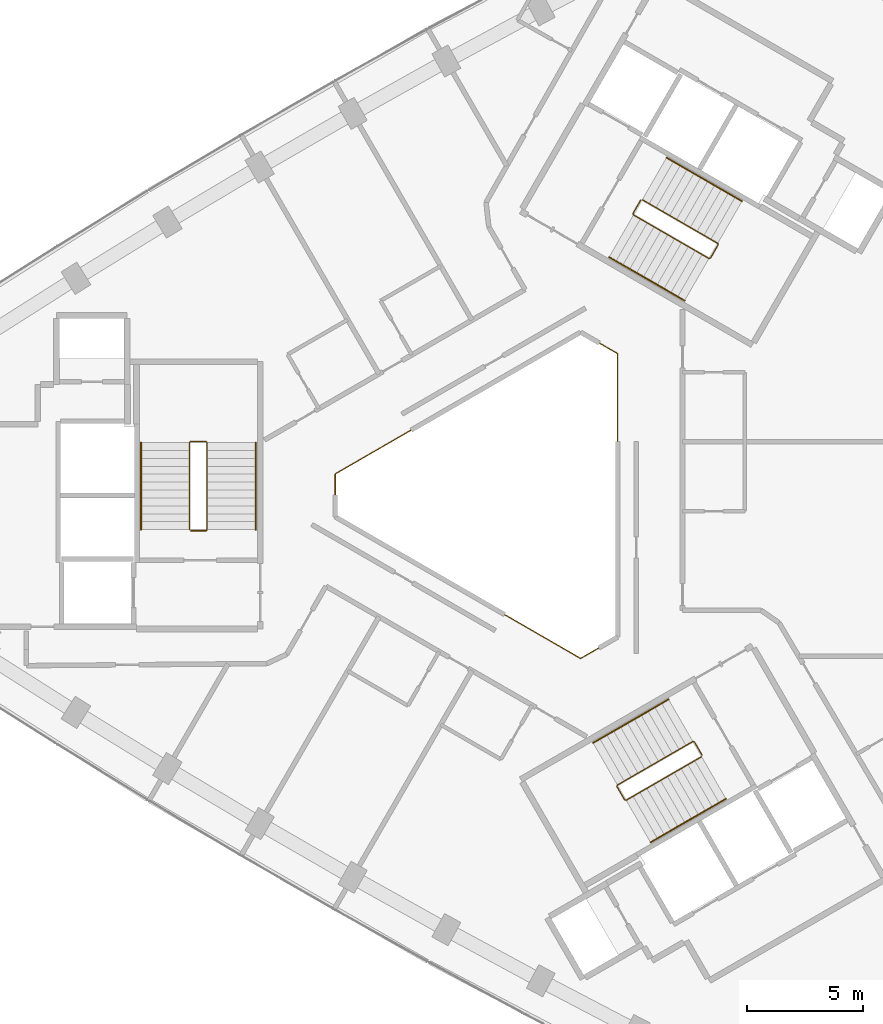
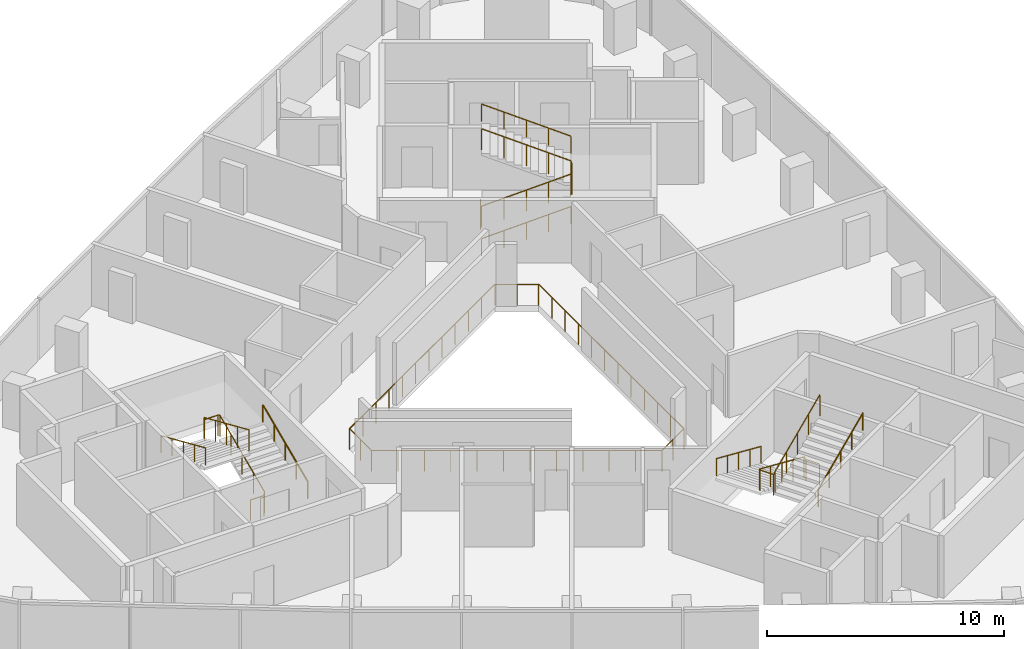
# One storey, part 11 of 11: 10 railings.
"""IFC4 building model written with IfcOpenShell, lengths in metres."""

import ifcopenshell
import ifcopenshell.guid

model = None  # the IFC model being written
_history = None  # IfcOwnerHistory: only IFC2X3 demands one
_inside = {}  # id of a spatial element -> (the spatial element, [elements in it])
_under = {}  # id of a project, library or spatial element -> (it, [spatial elements below it])
_declared = {}  # id of a project -> (the project, [libraries it declares])
_typed = {}  # id of a type object -> (the type object, [elements of that type])
_made_of = {}  # id of a material, layer set ... -> (it, [elements and type objects made of it])


def new_model(schema):
    """Start an empty IFC model of exactly this schema.

    Asked for "IFC4X3", IfcOpenShell would pick the latest addendum, in which some entities
    have other attributes; the version numbers below select the first issue.
    IFC2X3 requires an IfcOwnerHistory on every rooted entity: one is made here for all.
    """
    global model, _history
    if schema == "IFC4X3":
        model = ifcopenshell.file(schema_version=(4, 3, 0, 0))
    else:
        model = ifcopenshell.file(schema=schema)
    _inside.clear()
    _under.clear()
    _declared.clear()
    _typed.clear()
    _made_of.clear()
    _history = None
    if model.schema == "IFC2X3":
        org = make("IfcOrganization", Name="unknown")
        user = make(
            "IfcPersonAndOrganization",
            ThePerson=make("IfcPerson", FamilyName="unknown"),
            TheOrganization=org,
        )
        app = make(
            "IfcApplication",
            ApplicationDeveloper=org,
            Version="unknown",
            ApplicationFullName="unknown",
            ApplicationIdentifier="unknown",
        )
        _history = make(
            "IfcOwnerHistory",
            OwningUser=user,
            OwningApplication=app,
            ChangeAction="ADDED",
            CreationDate=0,
        )
    return model


def make(cls, **values):
    """One entity of the class cls with the attributes given. An attribute that is None is left unset."""
    return model.create_entity(
        cls, **{name: value for name, value in values.items() if value is not None}
    )


def rooted(cls, **values):
    """An entity with a GlobalId (a new one), such as an element, a storey or a relation."""
    return make(cls, GlobalId=ifcopenshell.guid.new(), OwnerHistory=_history, **values)


def si_unit(unit_type, name, prefix=None):
    """IfcSIUnit, for example si_unit("LENGTHUNIT", "METRE", prefix="MILLI")."""
    return make("IfcSIUnit", UnitType=unit_type, Prefix=prefix, Name=name)


def assignment(units):
    """IfcUnitAssignment: the units of a project."""
    return None if units is None else make("IfcUnitAssignment", Units=units)


def point(xyz):
    """IfcCartesianPoint."""
    return None if xyz is None else make("IfcCartesianPoint", Coordinates=xyz)


def direction(xyz):
    """IfcDirection."""
    return None if xyz is None else make("IfcDirection", DirectionRatios=xyz)


def frame(location, z_axis=None, x_axis=None):
    """IfcAxis2Placement3D, a coordinate frame: its origin and axes. An axis left out is left unset."""
    return make(
        "IfcAxis2Placement3D",
        Location=point(location),
        Axis=direction(z_axis),
        RefDirection=direction(x_axis),
    )


def frame_2d(location, x_axis=None):
    """IfcAxis2Placement2D, a coordinate frame in the plane: its origin and x axis."""
    return make(
        "IfcAxis2Placement2D", Location=point(location), RefDirection=direction(x_axis)
    )


def origin():
    """The frame at (0, 0, 0) with its axes left unset."""
    return frame((0.0, 0.0, 0.0))


def origin_2d():
    """The frame at (0, 0) in the plane with its x axis left unset."""
    return frame_2d((0.0, 0.0))


def place(relative_to, where):
    """IfcLocalPlacement: puts the frame where relative to a parent placement (None: the world)."""
    return make(
        "IfcLocalPlacement", PlacementRelTo=relative_to, RelativePlacement=where
    )


def context(
    kind, dimensions, precision=None, world=None, true_north=None, identifier=None
):
    """IfcGeometricRepresentationContext, for example the 3D "Model" context."""
    return make(
        "IfcGeometricRepresentationContext",
        ContextIdentifier=identifier,
        ContextType=kind,
        CoordinateSpaceDimension=dimensions,
        Precision=precision,
        WorldCoordinateSystem=world,
        TrueNorth=true_north,
    )


def subcontext(parent, identifier, kind, view, scale=None):
    """IfcGeometricRepresentationSubContext, for example "Body" below "Model"."""
    return make(
        "IfcGeometricRepresentationSubContext",
        ContextIdentifier=identifier,
        ContextType=kind,
        ParentContext=parent,
        TargetScale=scale,
        TargetView=view,
    )


def project(units=None, contexts=None):
    """IfcProject with its units and contexts."""
    return rooted(
        "IfcProject",
        Name="project",
        RepresentationContexts=contexts,
        UnitsInContext=assignment(units),
    )


def spatial(cls, under=None, at=None, **own):
    """A site, building, storey or space (cls), placed at a placement, below another one or the project."""
    s = rooted(cls, ObjectPlacement=at, **own)
    if under is not None:
        _under.setdefault(under.id(), (under, []))[1].append(s)
    return s


def profile(cls, at=None, kind="AREA", **sizes):
    """A parametric profile (cls). Its sizes go by their IFC names, for example OverallWidth=200.0."""
    return make(cls, ProfileType=kind, Position=at, **sizes)


def circle(**sizes):
    """IfcCircleProfileDef."""
    return profile("IfcCircleProfileDef", **sizes)


def extrude(swept, where, along, depth):
    """IfcExtrudedAreaSolid: the profile swept, set in the frame where, extruded along a direction by depth."""
    return make(
        "IfcExtrudedAreaSolid",
        SweptArea=swept,
        Position=where,
        ExtrudedDirection=direction(along),
        Depth=depth,
    )


def shape(context_of_items, identifier, shape_type, items):
    """IfcShapeRepresentation: the items that make up one representation, for example the "Body"."""
    return make(
        "IfcShapeRepresentation",
        ContextOfItems=context_of_items,
        RepresentationIdentifier=identifier,
        RepresentationType=shape_type,
        Items=items,
    )


def material(Name=None, Category=None):
    """IfcMaterial."""
    return make("IfcMaterial", Name=Name, Category=Category)


def made_of(thing, what):
    """Note that an element or type object is made of a material, layer set ...; save() writes the relation."""
    if what is not None:
        _made_of.setdefault(what.id(), (what, []))[1].append(thing)
    return thing


def type_object(cls, material=None, **own):
    """A type object (cls), such as IfcWallType, which elements share."""
    return made_of(rooted(cls, **own), material)


def element(
    cls,
    number,
    at=None,
    inside=None,
    cuts=None,
    type_object=None,
    material=None,
    context=None,
    identifier="Body",
    shape_type=None,
    held_by="IfcProductDefinitionShape",
    body=None,
    shapes=None,
    **own,
):
    """One element of the class cls, such as IfcWall. Its Tag is "e" and its number.

    at: its placement. inside: the storey or other place that contains it. cuts: it is an
    opening in that element (IfcRelVoidsElement). A single representation is given by context,
    identifier, shape_type and body (its items); several are given by shapes. held_by: the class
    of the entity that holds the representations. save() writes the other relations.
    """
    e = rooted(cls, Tag="e%d" % number, ObjectPlacement=at, **own)
    if body is not None:
        shapes = [shape(context, identifier, shape_type, body)]
    if shapes is not None:
        e.Representation = make(held_by, Representations=shapes)
    if inside is not None:
        _inside.setdefault(inside.id(), (inside, []))[1].append(e)
    if cuts is not None:
        rooted(
            "IfcRelVoidsElement", RelatingBuildingElement=cuts, RelatedOpeningElement=e
        )
    if type_object is not None:
        _typed.setdefault(type_object.id(), (type_object, []))[1].append(e)
    return made_of(e, material)


def aggregate(whole, parts):
    """IfcRelAggregates: a whole, such as a stair, and the parts it consists of."""
    return rooted("IfcRelAggregates", RelatingObject=whole, RelatedObjects=parts)


def save(model, path):
    """Write the relations noted so far, then the file.

    IfcRelAggregates (storeys below a building ...), IfcRelContainedInSpatialStructure (elements
    in a storey), IfcRelDefinesByType, IfcRelAssociatesMaterial and IfcRelDeclares: one each for
    every whole, place, type object, material and project.
    """
    for whole, parts in _under.values():
        aggregate(whole, parts)
    for where, things in _inside.values():
        rooted(
            "IfcRelContainedInSpatialStructure",
            RelatedElements=things,
            RelatingStructure=where,
        )
    for kind, things in _typed.values():
        rooted("IfcRelDefinesByType", RelatedObjects=things, RelatingType=kind)
    for what, things in _made_of.values():
        rooted("IfcRelAssociatesMaterial", RelatedObjects=things, RelatingMaterial=what)
    for by, libraries in _declared.values():
        rooted("IfcRelDeclares", RelatingContext=by, RelatedDefinitions=libraries)
    model.write(path)


model = new_model("IFC4")

# Units and contexts
model_context = context("Model", 3, precision=1e-05, world=origin(), true_north=direction((0.0, 1.0)))
body_context = subcontext(model_context, "Body", "Model", "MODEL_VIEW")
ifc_project = project(units=[si_unit("LENGTHUNIT", "METRE"), si_unit("AREAUNIT", "SQUARE_METRE"), si_unit("VOLUMEUNIT", "CUBIC_METRE"), si_unit("PLANEANGLEUNIT", "RADIAN"), si_unit("MASSUNIT", "GRAM", prefix="KILO")], contexts=[model_context])

# Site, building, storey
site_placement = place(None, origin())
site = spatial("IfcSite", under=ifc_project, at=site_placement, CompositionType="ELEMENT")
building_placement = place(site_placement, origin())
building = spatial("IfcBuilding", under=site, at=building_placement, Name="Tamra Quay Hotel Tower", CompositionType="ELEMENT")
storey_placement = place(building_placement, frame((0.0, 0.0, 208.0)))
storey = spatial("IfcBuildingStorey", under=building, at=storey_placement, Name="L52", CompositionType="ELEMENT", Elevation=208.0)

# Railings
ifc_material_1 = material(Name="Guard atrium edge 1100")
railing_type_1 = type_object("IfcRailingType", Name="Guard atrium edge 1100", PredefinedType="GUARDRAIL", material=ifc_material_1)
railing_1_placement = place(storey_placement, frame((4.60009765625, -6.1201171875, 0.0)))
element("IfcRailing", 1, at=railing_1_placement, inside=storey, type_object=railing_type_1, Name="G-A", PredefinedType="GUARDRAIL", context=body_context, shape_type="SweptSolid", body=[
    extrude(circle(Radius=0.02392578125, at=origin_2d()), frame((0.0, 0.0, 1.076171875), z_axis=(-0.86602275259, -0.500004591975, 0.0), x_axis=(0.500004591975, -0.86602275259, 0.0)), (0.0, 0.0, 1.0), 1.84765625),
    extrude(circle(Radius=0.02392578125, at=origin_2d()), frame((-1.60009765625, -0.923828125, 1.076171875), z_axis=(-0.866028806638, 0.499994106039, 0.0), x_axis=(-0.499994106039, -0.866028806638, 0.0)), (0.0, 0.0, 1.0), 12.239990234375),
    extrude(circle(Radius=0.02392578125, at=origin_2d()), frame((-12.2001953125, 5.196044921875, 1.076171875), z_axis=(0.0, 1.0, 0.0), x_axis=(-1.0, 0.0, 0.0)), (0.0, 0.0, 1.0), 1.84814453125),
    extrude(circle(Radius=0.02392578125, at=origin_2d()), frame((-12.2001953125, 7.044189453125, 1.076171875), z_axis=(0.866028806638, 0.499994106039, 0.0), x_axis=(-0.499994106039, 0.866028806638, 0.0)), (0.0, 0.0, 1.0), 12.239990234375),
    extrude(circle(Radius=0.02392578125, at=origin_2d()), frame((-1.60009765625, 13.1640625, 1.076171875), z_axis=(0.86602275259, -0.500004591975, 0.0), x_axis=(0.500004591975, 0.86602275259, 0.0)), (0.0, 0.0, 1.0), 1.84765625),
    extrude(circle(Radius=0.02392578125, at=origin_2d()), frame((0.0, 12.240234375, 1.076171875), z_axis=(0.0, -1.0, 0.0), x_axis=(1.0, 0.0, 0.0)), (0.0, 0.0, 1.0), 12.240234375),
    extrude(circle(Radius=0.02099609375, at=origin_2d()), origin(), (0.0, 0.0, 1.0), 1.052001953125),
    extrude(circle(Radius=0.02099609375, at=origin_2d()), frame((-0.800048828125, -0.4619140625, 0.0)), (0.0, 0.0, 1.0), 1.052001953125),
    extrude(circle(Radius=0.02099609375, at=origin_2d()), frame((-1.60009765625, -0.923828125, 0.0)), (0.0, 0.0, 1.0), 1.052001953125),
    extrude(circle(Radius=0.02099609375, at=origin_2d()), frame((-2.563720703125, -0.367431640625, 0.0)), (0.0, 0.0, 1.0), 1.052001953125),
    extrude(circle(Radius=0.02099609375, at=origin_2d()), frame((-3.52734375, 0.18896484375, 0.0)), (0.0, 0.0, 1.0), 1.052001953125),
    extrude(circle(Radius=0.02099609375, at=origin_2d()), frame((-4.490966796875, 0.7451171875, 0.0)), (0.0, 0.0, 1.0), 1.052001953125),
    extrude(circle(Radius=0.02099609375, at=origin_2d()), frame((-5.45458984375, 1.301513671875, 0.0)), (0.0, 0.0, 1.0), 1.052001953125),
    extrude(circle(Radius=0.02099609375, at=origin_2d()), frame((-6.418212890625, 1.85791015625, 0.0)), (0.0, 0.0, 1.0), 1.052001953125),
    extrude(circle(Radius=0.02099609375, at=origin_2d()), frame((-7.382080078125, 2.414306640625, 0.0)), (0.0, 0.0, 1.0), 1.052001953125),
    extrude(circle(Radius=0.02099609375, at=origin_2d()), frame((-8.345703125, 2.970703125, 0.0)), (0.0, 0.0, 1.0), 1.052001953125),
    extrude(circle(Radius=0.02099609375, at=origin_2d()), frame((-9.309326171875, 3.527099609375, 0.0)), (0.0, 0.0, 1.0), 1.052001953125),
    extrude(circle(Radius=0.02099609375, at=origin_2d()), frame((-10.27294921875, 4.083251953125, 0.0)), (0.0, 0.0, 1.0), 1.052001953125),
    extrude(circle(Radius=0.02099609375, at=origin_2d()), frame((-11.236572265625, 4.6396484375, 0.0)), (0.0, 0.0, 1.0), 1.052001953125),
    extrude(circle(Radius=0.02099609375, at=origin_2d()), frame((-12.2001953125, 5.196044921875, 0.0)), (0.0, 0.0, 1.0), 1.052001953125),
    extrude(circle(Radius=0.02099609375, at=origin_2d()), frame((-12.2001953125, 6.1201171875, 0.0)), (0.0, 0.0, 1.0), 1.052001953125),
    extrude(circle(Radius=0.02099609375, at=origin_2d()), frame((-12.2001953125, 7.044189453125, 0.0)), (0.0, 0.0, 1.0), 1.052001953125),
    extrude(circle(Radius=0.02099609375, at=origin_2d()), frame((-11.236572265625, 7.6005859375, 0.0)), (0.0, 0.0, 1.0), 1.052001953125),
    extrude(circle(Radius=0.02099609375, at=origin_2d()), frame((-10.27294921875, 8.156982421875, 0.0)), (0.0, 0.0, 1.0), 1.052001953125),
    extrude(circle(Radius=0.02099609375, at=origin_2d()), frame((-9.309326171875, 8.713134765625, 0.0)), (0.0, 0.0, 1.0), 1.052001953125),
    extrude(circle(Radius=0.02099609375, at=origin_2d()), frame((-8.345703125, 9.26953125, 0.0)), (0.0, 0.0, 1.0), 1.052001953125),
    extrude(circle(Radius=0.02099609375, at=origin_2d()), frame((-7.382080078125, 9.825927734375, 0.0)), (0.0, 0.0, 1.0), 1.052001953125),
    extrude(circle(Radius=0.02099609375, at=origin_2d()), frame((-6.418212890625, 10.38232421875, 0.0)), (0.0, 0.0, 1.0), 1.052001953125),
    extrude(circle(Radius=0.02099609375, at=origin_2d()), frame((-5.45458984375, 10.938720703125, 0.0)), (0.0, 0.0, 1.0), 1.052001953125),
    extrude(circle(Radius=0.02099609375, at=origin_2d()), frame((-4.490966796875, 11.4951171875, 0.0)), (0.0, 0.0, 1.0), 1.052001953125),
    extrude(circle(Radius=0.02099609375, at=origin_2d()), frame((-3.52734375, 12.05126953125, 0.0)), (0.0, 0.0, 1.0), 1.052001953125),
    extrude(circle(Radius=0.02099609375, at=origin_2d()), frame((-2.563720703125, 12.607666015625, 0.0)), (0.0, 0.0, 1.0), 1.052001953125),
    extrude(circle(Radius=0.02099609375, at=origin_2d()), frame((-1.60009765625, 13.1640625, 0.0)), (0.0, 0.0, 1.0), 1.052001953125),
    extrude(circle(Radius=0.02099609375, at=origin_2d()), frame((-0.800048828125, 12.7021484375, 0.0)), (0.0, 0.0, 1.0), 1.052001953125),
    extrude(circle(Radius=0.02099609375, at=origin_2d()), frame((0.0, 12.240234375, 0.0)), (0.0, 0.0, 1.0), 1.052001953125),
    extrude(circle(Radius=0.02099609375, at=origin_2d()), frame((0.0, 11.12744140625, 0.0)), (0.0, 0.0, 1.0), 1.052001953125),
    extrude(circle(Radius=0.02099609375, at=origin_2d()), frame((0.0, 10.0146484375, 0.0)), (0.0, 0.0, 1.0), 1.052001953125),
    extrude(circle(Radius=0.02099609375, at=origin_2d()), frame((0.0, 8.902099609375, 0.0)), (0.0, 0.0, 1.0), 1.052001953125),
    extrude(circle(Radius=0.02099609375, at=origin_2d()), frame((0.0, 7.789306640625, 0.0)), (0.0, 0.0, 1.0), 1.052001953125),
    extrude(circle(Radius=0.02099609375, at=origin_2d()), frame((0.0, 6.676513671875, 0.0)), (0.0, 0.0, 1.0), 1.052001953125),
    extrude(circle(Radius=0.02099609375, at=origin_2d()), frame((0.0, 5.563720703125, 0.0)), (0.0, 0.0, 1.0), 1.052001953125),
    extrude(circle(Radius=0.02099609375, at=origin_2d()), frame((0.0, 4.450927734375, 0.0)), (0.0, 0.0, 1.0), 1.052001953125),
    extrude(circle(Radius=0.02099609375, at=origin_2d()), frame((0.0, 3.338134765625, 0.0)), (0.0, 0.0, 1.0), 1.052001953125),
    extrude(circle(Radius=0.02099609375, at=origin_2d()), frame((0.0, 2.2255859375, 0.0)), (0.0, 0.0, 1.0), 1.052001953125),
    extrude(circle(Radius=0.02099609375, at=origin_2d()), frame((0.0, 1.11279296875, 0.0)), (0.0, 0.0, 1.0), 1.052001953125),
])
ifc_material_2 = material(Name="Stair guard 1100")
railing_type_2 = type_object("IfcRailingType", Name="Stair guard 1100", PredefinedType="GUARDRAIL", material=ifc_material_2)
railing_2_placement = place(storey_placement, frame((-13.84130859375, -1.530029296875, 0.0)))
element("IfcRailing", 2, at=railing_2_placement, inside=storey, type_object=railing_type_2, Name="GR", PredefinedType="GUARDRAIL", context=body_context, shape_type="SweptSolid", body=[
    extrude(circle(Radius=0.02392578125, at=origin_2d()), frame((0.0, 0.0, 1.076171875), z_axis=(1.0, 0.0, 0.0), x_axis=(0.0, 1.0, 0.0)), (0.0, 0.0, 1.0), 0.658935546875),
    extrude(circle(Radius=0.02392578125, at=origin_2d()), frame((0.658935546875, 0.0, 1.076171875), z_axis=(0.301912943143, 0.301912943143, 0.904266083366), x_axis=(-0.707106781187, 0.707106781187, 0.0)), (0.0, 0.0, 1.0), 0.165771484375),
    extrude(circle(Radius=0.02392578125, at=origin_2d()), frame((0.708984375, 0.050048828125, 1.22607421875), z_axis=(0.0, 0.915773634228, 0.401694723457), x_axis=(-1.0, 0.0, 0.0)), (0.0, 0.0, 1.0), 4.10791015625),
    extrude(circle(Radius=0.02392578125, at=origin_2d()), frame((0.708984375, 3.81201171875, 2.8759765625), z_axis=(-0.708833529934, 0.705375805398, 0.0), x_axis=(-0.705375805398, -0.708833529934, 0.0)), (0.0, 0.0, 1.0), 0.070556640625),
    extrude(circle(Radius=0.02392578125, at=origin_2d()), frame((0.658935546875, 3.86181640625, 2.8759765625), z_axis=(-1.0, 0.0, 0.0), x_axis=(0.0, -1.0, 0.0)), (0.0, 0.0, 1.0), 0.658935546875),
    extrude(circle(Radius=0.02392578125, at=origin_2d()), frame((0.0, 3.86181640625, 2.8759765625), z_axis=(-0.302046947789, -0.300573548044, 0.904667443621), x_axis=(0.705375805398, -0.708833529934, 0.0)), (0.0, 0.0, 1.0), 0.165771484375),
    extrude(circle(Radius=0.02392578125, at=origin_2d()), frame((-0.050048828125, 3.81201171875, 3.02587890625), z_axis=(0.0, -0.915773634228, 0.401694723457), x_axis=(1.0, 0.0, 0.0)), (0.0, 0.0, 1.0), 4.10791015625),
    extrude(circle(Radius=0.02099609375, at=origin_2d()), origin(), (0.0, 0.0, 1.0), 1.052001953125),
    extrude(circle(Radius=0.02099609375, at=origin_2d()), frame((0.658935546875, 0.0, 0.0)), (0.0, 0.0, 1.0), 1.052001953125),
    extrude(circle(Radius=0.02099609375, at=origin_2d()), frame((0.708984375, 0.050048828125, 0.14990234375)), (0.0, 0.0, 1.0), 1.052001953125),
    extrude(circle(Radius=0.02099609375, at=origin_2d()), frame((0.708984375, 0.990478515625, 0.5625)), (0.0, 0.0, 1.0), 1.052001953125),
    extrude(circle(Radius=0.02099609375, at=origin_2d()), frame((0.708984375, 1.93115234375, 0.97509765625)), (0.0, 0.0, 1.0), 1.052001953125),
    extrude(circle(Radius=0.02099609375, at=origin_2d()), frame((0.708984375, 2.87158203125, 1.387451171875)), (0.0, 0.0, 1.0), 1.052001953125),
    extrude(circle(Radius=0.02099609375, at=origin_2d()), frame((0.708984375, 3.81201171875, 1.800048828125)), (0.0, 0.0, 1.0), 1.052001953125),
    extrude(circle(Radius=0.02099609375, at=origin_2d()), frame((0.658935546875, 3.86181640625, 1.800048828125)), (0.0, 0.0, 1.0), 1.052001953125),
    extrude(circle(Radius=0.02099609375, at=origin_2d()), frame((0.0, 3.86181640625, 1.800048828125)), (0.0, 0.0, 1.0), 1.052001953125),
    extrude(circle(Radius=0.02099609375, at=origin_2d()), frame((-0.050048828125, 3.81201171875, 1.949951171875)), (0.0, 0.0, 1.0), 1.052001953125),
    extrude(circle(Radius=0.02099609375, at=origin_2d()), frame((-0.050048828125, 2.87158203125, 2.362548828125)), (0.0, 0.0, 1.0), 1.052001953125),
    extrude(circle(Radius=0.02099609375, at=origin_2d()), frame((-0.050048828125, 1.93115234375, 2.77490234375)), (0.0, 0.0, 1.0), 1.052001953125),
    extrude(circle(Radius=0.02099609375, at=origin_2d()), frame((-0.050048828125, 0.990478515625, 3.1875)), (0.0, 0.0, 1.0), 1.052001953125),
    extrude(circle(Radius=0.02099609375, at=origin_2d()), frame((-0.050048828125, 0.050048828125, 3.60009765625)), (0.0, 0.0, 1.0), 1.052001953125),
])
railing_3_placement = place(storey_placement, frame((5.595458984375, 12.751953125, 0.0)))
element("IfcRailing", 3, at=railing_3_placement, inside=storey, type_object=railing_type_2, Name="GR", PredefinedType="GUARDRAIL", context=body_context, shape_type="SweptSolid", body=[
    extrude(circle(Radius=0.02392578125, at=origin_2d()), frame((0.0, 0.0, 1.076171875), z_axis=(-0.499765215335, -0.866160914346, 0.0), x_axis=(0.866160914346, -0.499765215335, 0.0)), (0.0, 0.0, 1.0), 0.658935546875),
    extrude(circle(Radius=0.02392578125, at=origin_2d()), frame((-0.329345703125, -0.57080078125, 1.076171875), z_axis=(0.110525977783, -0.411156637351, 0.904839338113), x_axis=(0.965715946433, 0.259601060869, 0.0)), (0.0, 0.0, 1.0), 0.165771484375),
    extrude(circle(Radius=0.02392578125, at=origin_2d()), frame((-0.31103515625, -0.638916015625, 1.22607421875), z_axis=(0.79305953016, -0.457922937641, 0.401700342053), x_axis=(0.500040788363, 0.866001853331, 0.0)), (0.0, 0.0, 1.0), 4.10791015625),
    extrude(circle(Radius=0.02392578125, at=origin_2d()), frame((2.94677734375, -2.52001953125, 2.8759765625), z_axis=(0.965948051503, 0.258736085224, 0.0), x_axis=(-0.258736085224, 0.965948051503, 0.0)), (0.0, 0.0, 1.0), 0.07080078125),
    extrude(circle(Radius=0.02392578125, at=origin_2d()), frame((3.01513671875, -2.501708984375, 2.8759765625), z_axis=(0.500043078269, 0.866000531106, 0.0), x_axis=(-0.866000531106, 0.500043078269, 0.0)), (0.0, 0.0, 1.0), 0.6591796875),
    extrude(circle(Radius=0.02392578125, at=origin_2d()), frame((3.3447265625, -1.930908203125, 2.8759765625), z_axis=(-0.110525977783, 0.411156637351, 0.904839338113), x_axis=(-0.965715946433, -0.259601060869, 0.0)), (0.0, 0.0, 1.0), 0.165771484375),
    extrude(circle(Radius=0.02392578125, at=origin_2d()), frame((3.326416015625, -1.86279296875, 3.02587890625), z_axis=(-0.793081581205, 0.457901355053, 0.401681409319), x_axis=(-0.500012686397, -0.866018079166, 0.0)), (0.0, 0.0, 1.0), 4.108154296875),
    extrude(circle(Radius=0.02099609375, at=origin_2d()), origin(), (0.0, 0.0, 1.0), 1.052001953125),
    extrude(circle(Radius=0.02099609375, at=origin_2d()), frame((-0.329345703125, -0.57080078125, 0.0)), (0.0, 0.0, 1.0), 1.052001953125),
    extrude(circle(Radius=0.02099609375, at=origin_2d()), frame((-0.31103515625, -0.638916015625, 0.14990234375)), (0.0, 0.0, 1.0), 1.052001953125),
    extrude(circle(Radius=0.02099609375, at=origin_2d()), frame((0.50341796875, -1.109130859375, 0.5625)), (0.0, 0.0, 1.0), 1.052001953125),
    extrude(circle(Radius=0.02099609375, at=origin_2d()), frame((1.31787109375, -1.57958984375, 0.97509765625)), (0.0, 0.0, 1.0), 1.052001953125),
    extrude(circle(Radius=0.02099609375, at=origin_2d()), frame((2.13232421875, -2.0498046875, 1.387451171875)), (0.0, 0.0, 1.0), 1.052001953125),
    extrude(circle(Radius=0.02099609375, at=origin_2d()), frame((2.94677734375, -2.52001953125, 1.800048828125)), (0.0, 0.0, 1.0), 1.052001953125),
    extrude(circle(Radius=0.02099609375, at=origin_2d()), frame((3.01513671875, -2.501708984375, 1.800048828125)), (0.0, 0.0, 1.0), 1.052001953125),
    extrude(circle(Radius=0.02099609375, at=origin_2d()), frame((3.3447265625, -1.930908203125, 1.800048828125)), (0.0, 0.0, 1.0), 1.052001953125),
    extrude(circle(Radius=0.02099609375, at=origin_2d()), frame((3.326416015625, -1.86279296875, 1.949951171875)), (0.0, 0.0, 1.0), 1.052001953125),
    extrude(circle(Radius=0.02099609375, at=origin_2d()), frame((2.511962890625, -1.392578125, 2.362548828125)), (0.0, 0.0, 1.0), 1.052001953125),
    extrude(circle(Radius=0.02099609375, at=origin_2d()), frame((1.697265625, -0.92236328125, 2.77490234375)), (0.0, 0.0, 1.0), 1.052001953125),
    extrude(circle(Radius=0.02099609375, at=origin_2d()), frame((0.8828125, -0.451904296875, 3.1875)), (0.0, 0.0, 1.0), 1.052001953125),
    extrude(circle(Radius=0.02099609375, at=origin_2d()), frame((0.068359375, 0.018310546875, 3.60009765625)), (0.0, 0.0, 1.0), 1.052001953125),
])
railing_4_placement = place(storey_placement, frame((8.245849609375, -11.221923828125, 0.0)))
element("IfcRailing", 4, at=railing_4_placement, inside=storey, type_object=railing_type_2, Name="GR", PredefinedType="GUARDRAIL", context=body_context, shape_type="SweptSolid", body=[
    extrude(circle(Radius=0.02392578125, at=origin_2d()), frame((0.0, 0.0, 1.076171875), z_axis=(-0.500043078269, 0.866000531106, 0.0), x_axis=(-0.866000531106, -0.500043078269, 0.0)), (0.0, 0.0, 1.0), 0.6591796875),
    extrude(circle(Radius=0.02392578125, at=origin_2d()), frame((-0.32958984375, 0.57080078125, 1.076171875), z_axis=(-0.41238007866, 0.110458949641, 0.904290601062), x_axis=(-0.258736085224, -0.965948051503, 0.0)), (0.0, 0.0, 1.0), 0.165771484375),
    extrude(circle(Radius=0.02392578125, at=origin_2d()), frame((-0.39794921875, 0.589111328125, 1.22607421875), z_axis=(-0.793081581205, -0.457901355053, 0.401681409319), x_axis=(0.500012686397, -0.866018079166, 0.0)), (0.0, 0.0, 1.0), 4.108154296875),
    extrude(circle(Radius=0.02392578125, at=origin_2d()), frame((-3.656005859375, -1.2919921875, 2.8759765625), z_axis=(-0.256368644879, -0.966579080015, 0.0), x_axis=(0.966579080015, -0.256368644879, 0.0)), (0.0, 0.0, 1.0), 0.070556640625),
    extrude(circle(Radius=0.02392578125, at=origin_2d()), frame((-3.674072265625, -1.360107421875, 2.8759765625), z_axis=(0.499765215335, -0.866160914346, 0.0), x_axis=(0.866160914346, 0.499765215335, 0.0)), (0.0, 0.0, 1.0), 0.658935546875),
    extrude(circle(Radius=0.02392578125, at=origin_2d()), frame((-3.3447265625, -1.930908203125, 2.8759765625), z_axis=(0.41238007866, -0.110458949641, 0.904290601062), x_axis=(0.258736085224, 0.965948051503, 0.0)), (0.0, 0.0, 1.0), 0.165771484375),
    extrude(circle(Radius=0.02392578125, at=origin_2d()), frame((-3.2763671875, -1.94921875, 3.02587890625), z_axis=(0.793081581205, 0.457901355053, 0.401681409319), x_axis=(-0.500012686397, 0.866018079166, 0.0)), (0.0, 0.0, 1.0), 4.108154296875),
    extrude(circle(Radius=0.02099609375, at=origin_2d()), origin(), (0.0, 0.0, 1.0), 1.052001953125),
    extrude(circle(Radius=0.02099609375, at=origin_2d()), frame((-0.32958984375, 0.57080078125, 0.0)), (0.0, 0.0, 1.0), 1.052001953125),
    extrude(circle(Radius=0.02099609375, at=origin_2d()), frame((-0.39794921875, 0.589111328125, 0.14990234375)), (0.0, 0.0, 1.0), 1.052001953125),
    extrude(circle(Radius=0.02099609375, at=origin_2d()), frame((-1.21240234375, 0.118896484375, 0.5625)), (0.0, 0.0, 1.0), 1.052001953125),
    extrude(circle(Radius=0.02099609375, at=origin_2d()), frame((-2.02685546875, -0.3515625, 0.97509765625)), (0.0, 0.0, 1.0), 1.052001953125),
    extrude(circle(Radius=0.02099609375, at=origin_2d()), frame((-2.841552734375, -0.82177734375, 1.387451171875)), (0.0, 0.0, 1.0), 1.052001953125),
    extrude(circle(Radius=0.02099609375, at=origin_2d()), frame((-3.656005859375, -1.2919921875, 1.800048828125)), (0.0, 0.0, 1.0), 1.052001953125),
    extrude(circle(Radius=0.02099609375, at=origin_2d()), frame((-3.674072265625, -1.360107421875, 1.800048828125)), (0.0, 0.0, 1.0), 1.052001953125),
    extrude(circle(Radius=0.02099609375, at=origin_2d()), frame((-3.3447265625, -1.930908203125, 1.800048828125)), (0.0, 0.0, 1.0), 1.052001953125),
    extrude(circle(Radius=0.02099609375, at=origin_2d()), frame((-3.2763671875, -1.94921875, 1.949951171875)), (0.0, 0.0, 1.0), 1.052001953125),
    extrude(circle(Radius=0.02099609375, at=origin_2d()), frame((-2.4619140625, -1.47900390625, 2.362548828125)), (0.0, 0.0, 1.0), 1.052001953125),
    extrude(circle(Radius=0.02099609375, at=origin_2d()), frame((-1.6474609375, -1.0087890625, 2.77490234375)), (0.0, 0.0, 1.0), 1.052001953125),
    extrude(circle(Radius=0.02099609375, at=origin_2d()), frame((-0.832763671875, -0.538330078125, 3.1875)), (0.0, 0.0, 1.0), 1.052001953125),
    extrude(circle(Radius=0.02099609375, at=origin_2d()), frame((-0.018310546875, -0.068115234375, 3.60009765625)), (0.0, 0.0, 1.0), 1.052001953125),
])
ifc_material_3 = material(Name="Stair handrail 900")
railing_type_3 = type_object("IfcRailingType", Name="Stair handrail 900", PredefinedType="HANDRAIL", material=ifc_material_3)
railing_5_placement = place(storey_placement, frame((-11.0322265625, -1.47998046875, 0.14990234375)))
element("IfcRailing", 5, at=railing_5_placement, inside=storey, type_object=railing_type_3, Name="HR", PredefinedType="HANDRAIL", context=body_context, shape_type="SweptSolid", body=[
    extrude(circle(Radius=0.02392578125, at=origin_2d()), frame((0.0, 0.0, 0.8759765625), z_axis=(0.0, 0.915773634228, 0.401694723457), x_axis=(-1.0, 0.0, 0.0)), (0.0, 0.0, 1.0), 4.10791015625),
    extrude(circle(Radius=0.02099609375, at=origin_2d()), origin(), (0.0, 0.0, 1.0), 0.851806640625),
    extrude(circle(Radius=0.02099609375, at=origin_2d()), frame((0.0, 0.9404296875, 0.41259765625)), (0.0, 0.0, 1.0), 0.851806640625),
    extrude(circle(Radius=0.02099609375, at=origin_2d()), frame((0.0, 1.880859375, 0.8251953125)), (0.0, 0.0, 1.0), 0.851806640625),
    extrude(circle(Radius=0.02099609375, at=origin_2d()), frame((0.0, 2.821533203125, 1.237548828125)), (0.0, 0.0, 1.0), 0.851806640625),
    extrude(circle(Radius=0.02099609375, at=origin_2d()), frame((0.0, 3.761962890625, 1.650146484375)), (0.0, 0.0, 1.0), 0.851806640625),
])
railing_6_placement = place(storey_placement, frame((-15.9912109375, 2.281982421875, 1.949951171875)))
element("IfcRailing", 6, at=railing_6_placement, inside=storey, type_object=railing_type_3, Name="HR", PredefinedType="HANDRAIL", context=body_context, shape_type="SweptSolid", body=[
    extrude(circle(Radius=0.02392578125, at=origin_2d()), frame((0.0, 0.0, 0.8759765625), z_axis=(0.0, -0.915773634228, 0.401694723457), x_axis=(1.0, 0.0, 0.0)), (0.0, 0.0, 1.0), 4.10791015625),
    extrude(circle(Radius=0.02099609375, at=origin_2d()), origin(), (0.0, 0.0, 1.0), 0.851806640625),
    extrude(circle(Radius=0.02099609375, at=origin_2d()), frame((0.0, -0.9404296875, 0.41259765625)), (0.0, 0.0, 1.0), 0.851806640625),
    extrude(circle(Radius=0.02099609375, at=origin_2d()), frame((0.0, -1.880859375, 0.8251953125)), (0.0, 0.0, 1.0), 0.851806640625),
    extrude(circle(Radius=0.02099609375, at=origin_2d()), frame((0.0, -2.821533203125, 1.237548828125)), (0.0, 0.0, 1.0), 0.851806640625),
    extrude(circle(Radius=0.02099609375, at=origin_2d()), frame((0.0, -3.761962890625, 1.650146484375)), (0.0, 0.0, 1.0), 0.851806640625),
])
railing_7_placement = place(storey_placement, frame((4.234375, 10.294189453125, 0.14990234375)))
element("IfcRailing", 7, at=railing_7_placement, inside=storey, type_object=railing_type_3, Name="HR", PredefinedType="HANDRAIL", context=body_context, shape_type="SweptSolid", body=[
    extrude(circle(Radius=0.02392578125, at=origin_2d()), frame((0.0, 0.0, 0.8759765625), z_axis=(0.793103162556, -0.457854384738, 0.401692339881), x_axis=(0.499964013922, 0.86604617936, 0.0)), (0.0, 0.0, 1.0), 4.10791015625),
    extrude(circle(Radius=0.02099609375, at=origin_2d()), origin(), (0.0, 0.0, 1.0), 0.851806640625),
    extrude(circle(Radius=0.02099609375, at=origin_2d()), frame((0.814453125, -0.47021484375, 0.41259765625)), (0.0, 0.0, 1.0), 0.851806640625),
    extrude(circle(Radius=0.02099609375, at=origin_2d()), frame((1.62890625, -0.9404296875, 0.8251953125)), (0.0, 0.0, 1.0), 0.851806640625),
    extrude(circle(Radius=0.02099609375, at=origin_2d()), frame((2.443603515625, -1.41064453125, 1.237548828125)), (0.0, 0.0, 1.0), 0.851806640625),
    extrude(circle(Radius=0.02099609375, at=origin_2d()), frame((3.258056640625, -1.880859375, 1.650146484375)), (0.0, 0.0, 1.0), 0.851806640625),
])
railing_8_placement = place(storey_placement, frame((9.971923828125, 12.7080078125, 1.949951171875)))
element("IfcRailing", 8, at=railing_8_placement, inside=storey, type_object=railing_type_3, Name="HR", PredefinedType="HANDRAIL", context=body_context, shape_type="SweptSolid", body=[
    extrude(circle(Radius=0.02392578125, at=origin_2d()), frame((0.0, 0.0, 0.8759765625), z_axis=(-0.793103162556, 0.457854384738, 0.401692339881), x_axis=(-0.499964013922, -0.86604617936, 0.0)), (0.0, 0.0, 1.0), 4.10791015625),
    extrude(circle(Radius=0.02099609375, at=origin_2d()), origin(), (0.0, 0.0, 1.0), 0.851806640625),
    extrude(circle(Radius=0.02099609375, at=origin_2d()), frame((-0.814453125, 0.47021484375, 0.41259765625)), (0.0, 0.0, 1.0), 0.851806640625),
    extrude(circle(Radius=0.02099609375, at=origin_2d()), frame((-1.62890625, 0.9404296875, 0.8251953125)), (0.0, 0.0, 1.0), 0.851806640625),
    extrude(circle(Radius=0.02099609375, at=origin_2d()), frame((-2.443603515625, 1.41064453125, 1.237548828125)), (0.0, 0.0, 1.0), 0.851806640625),
    extrude(circle(Radius=0.02099609375, at=origin_2d()), frame((-3.258056640625, 1.880859375, 1.650146484375)), (0.0, 0.0, 1.0), 0.851806640625),
])
railing_9_placement = place(storey_placement, frame((6.7978515625, -8.814208984375, 0.14990234375)))
element("IfcRailing", 9, at=railing_9_placement, inside=storey, type_object=railing_type_3, Name="HR", PredefinedType="HANDRAIL", context=body_context, shape_type="SweptSolid", body=[
    extrude(circle(Radius=0.02392578125, at=origin_2d()), frame((0.0, 0.0, 0.8759765625), z_axis=(-0.793081112945, -0.457875966286, 0.40171127416), x_axis=(0.499992114976, -0.866029956157, 0.0)), (0.0, 0.0, 1.0), 4.10791015625),
    extrude(circle(Radius=0.02099609375, at=origin_2d()), origin(), (0.0, 0.0, 1.0), 0.851806640625),
    extrude(circle(Radius=0.02099609375, at=origin_2d()), frame((-0.814453125, -0.47021484375, 0.41259765625)), (0.0, 0.0, 1.0), 0.851806640625),
    extrude(circle(Radius=0.02099609375, at=origin_2d()), frame((-1.62890625, -0.9404296875, 0.8251953125)), (0.0, 0.0, 1.0), 0.851806640625),
    extrude(circle(Radius=0.02099609375, at=origin_2d()), frame((-2.443359375, -1.41064453125, 1.237548828125)), (0.0, 0.0, 1.0), 0.851806640625),
    extrude(circle(Radius=0.02099609375, at=origin_2d()), frame((-3.2578125, -1.880859375, 1.650146484375)), (0.0, 0.0, 1.0), 0.851806640625),
])
railing_10_placement = place(storey_placement, frame((6.01953125, -14.98974609375, 1.949951171875)))
element("IfcRailing", 10, at=railing_10_placement, inside=storey, type_object=railing_type_3, Name="HR", PredefinedType="HANDRAIL", context=body_context, shape_type="SweptSolid", body=[
    extrude(circle(Radius=0.02392578125, at=origin_2d()), frame((0.0, 0.0, 0.8759765625), z_axis=(0.793081112945, 0.457875966286, 0.40171127416), x_axis=(-0.499992114976, 0.866029956157, 0.0)), (0.0, 0.0, 1.0), 4.10791015625),
    extrude(circle(Radius=0.02099609375, at=origin_2d()), origin(), (0.0, 0.0, 1.0), 0.851806640625),
    extrude(circle(Radius=0.02099609375, at=origin_2d()), frame((0.814453125, 0.47021484375, 0.41259765625)), (0.0, 0.0, 1.0), 0.851806640625),
    extrude(circle(Radius=0.02099609375, at=origin_2d()), frame((1.62890625, 0.9404296875, 0.8251953125)), (0.0, 0.0, 1.0), 0.851806640625),
    extrude(circle(Radius=0.02099609375, at=origin_2d()), frame((2.443359375, 1.41064453125, 1.237548828125)), (0.0, 0.0, 1.0), 0.851806640625),
    extrude(circle(Radius=0.02099609375, at=origin_2d()), frame((3.2578125, 1.880859375, 1.650146484375)), (0.0, 0.0, 1.0), 0.851806640625),
])

save(model, "model.ifc")
